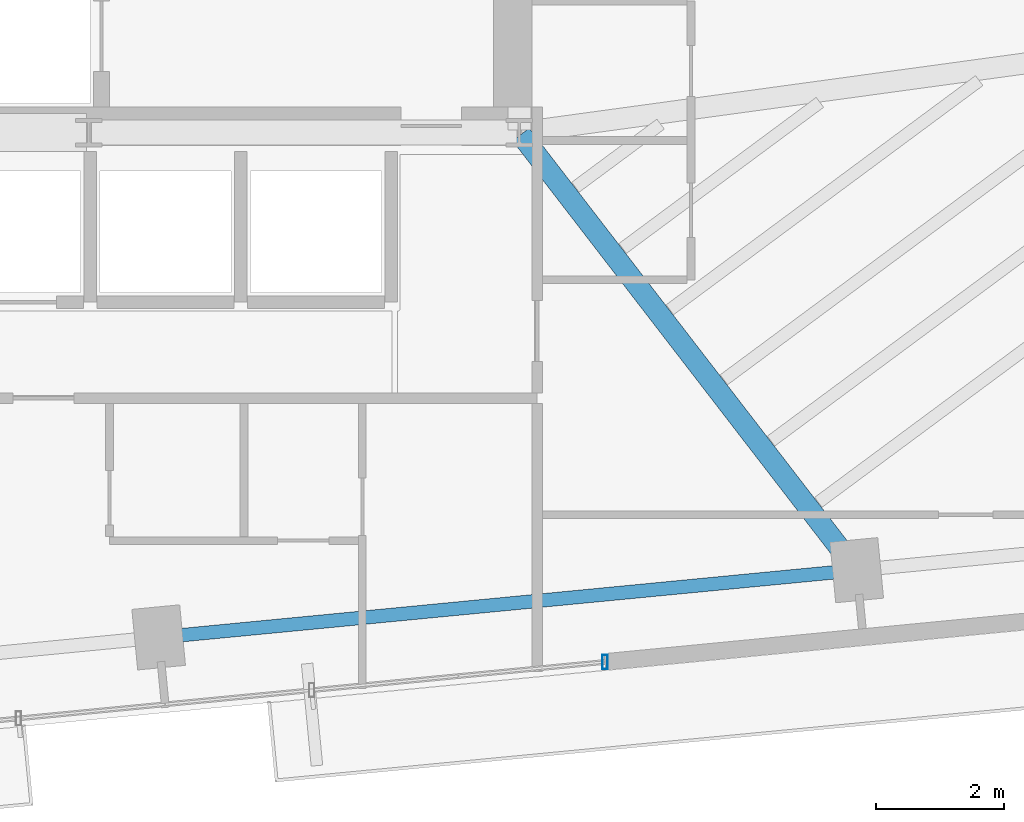
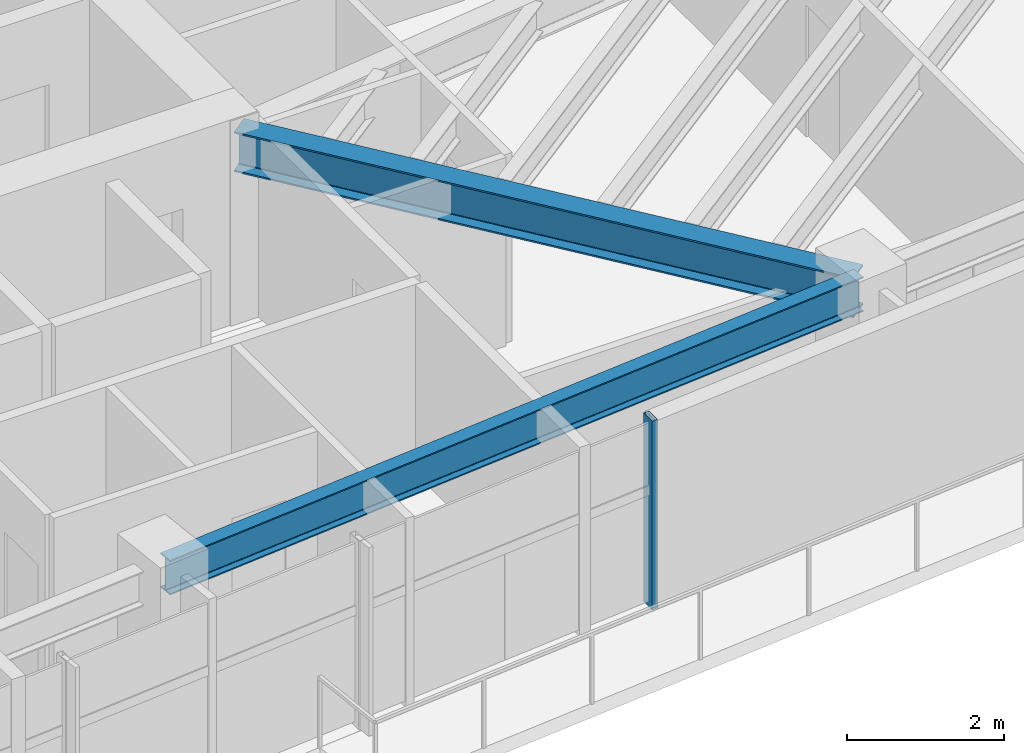
# One storey, part 8 of 18: 2 beams, 1 member, 1 element without a shape of its own.
"""IFC4 building model written with IfcOpenShell, lengths in metres."""

from ifc_helpers import new_model, si_unit, direction, frame, origin, origin_2d, place, context, subcontext, project, spatial, hollow_rectangle, i_section, extrude, source, transform, mapped, material, material_profile, profile_set, type_object, type_shapes, element, aggregate, save


model = new_model("IFC4")

# Units and contexts
model_context = context("Model", 3, precision=1e-05, world=origin(), true_north=direction((0.0, 1.0)))
body_context = subcontext(model_context, "Body", "Model", "MODEL_VIEW")
ifc_project = project(units=[si_unit("LENGTHUNIT", "METRE"), si_unit("AREAUNIT", "SQUARE_METRE"), si_unit("VOLUMEUNIT", "CUBIC_METRE"), si_unit("PLANEANGLEUNIT", "RADIAN"), si_unit("MASSUNIT", "GRAM", prefix="KILO")], contexts=[model_context])

# Site, building, storey
site_placement = place(None, origin())
site = spatial("IfcSite", under=ifc_project, at=site_placement, CompositionType="ELEMENT")
building_placement = place(site_placement, origin())
building = spatial("IfcBuilding", under=site, at=building_placement, Name="Astriad Promenade Condominiums", CompositionType="ELEMENT")
storey_placement = place(building_placement, frame((0.0, 0.0, 179.39990234375)))
storey = spatial("IfcBuildingStorey", under=building, at=storey_placement, Name="L51", CompositionType="ELEMENT", Elevation=179.39990234375)

# Beams
ifc_material_1 = material(Name="Steel ASTM A992 Grade 50", Category="steel")
ifc_material_profile_1 = material_profile(ifc_material_1, i_section(OverallWidth=0.210693359375, OverallDepth=0.53955078125, WebThickness=0.01171875, FlangeThickness=0.018798828125, FilletRadius=0.0166015625, at=origin_2d()), Name="W21X73")
ifc_profile_set_1 = profile_set([ifc_material_profile_1], Name="Steel ASTM A992 Grade 50")
beam_type_1 = type_object("IfcBeamType", Name="STEEL SPANDREL BEAM W21X73", PredefinedType="SPANDREL", material=ifc_profile_set_1)
shared_shape_1 = source(origin(), body_context, "Body", "SweptSolid", [
    extrude(i_section(OverallWidth=0.210693359375, OverallDepth=0.53955078125, WebThickness=0.01171875, FlangeThickness=0.018798828125, FilletRadius=0.0166015625, at=origin_2d()), origin(), (0.0, 0.0, 1.0), 10.8701171875),
])
type_shapes(beam_type_1, [shared_shape_1])
beam_1_placement = place(storey_placement, frame((40.008544921875, 9.520751953125, 2.67041015625), z_axis=(0.995397128983, 0.095836087217, 0.0), x_axis=(-0.095836087217, 0.995397128983, 0.0)))
element("IfcBeam", 1, at=beam_1_placement, inside=storey, type_object=beam_type_1, Name="Perimeter Spandrel Beam SP-S3-L51", PredefinedType="SPANDREL", context=body_context, shape_type="MappedRepresentation", body=[
    mapped(shared_shape_1, transform((0.0, 0.0, 0.0), scale=1.0)),
])
ifc_material_profile_2 = material_profile(ifc_material_1, i_section(OverallWidth=0.326416015625, OverallDepth=0.621826171875, WebThickness=0.015380859375, FlangeThickness=0.0244140625, FilletRadius=0.017822265625, at=origin_2d()), Name="W24X131")
ifc_profile_set_2 = profile_set([ifc_material_profile_2], Name="Steel ASTM A992 Grade 50")
beam_type_2 = type_object("IfcBeamType", Name="STEEL FLOOR GIRDER W24X131", PredefinedType="BEAM", material=ifc_profile_set_2)
shared_shape_2 = source(origin(), body_context, "Body", "SweptSolid", [
    extrude(i_section(OverallWidth=0.326416015625, OverallDepth=0.621826171875, WebThickness=0.015380859375, FlangeThickness=0.0244140625, FilletRadius=0.017822265625, at=origin_2d()), origin(), (0.0, 0.0, 1.0), 8.548583984375),
])
type_shapes(beam_type_2, [shared_shape_2])
beam_2_placement = place(storey_placement, frame((50.843994140625, 10.59814453125, 2.629150390625), z_axis=(-0.610561975536, 0.791968480452, 0.0), x_axis=(-0.791968480452, -0.610561975536, 0.0)))
element("IfcBeam", 2, at=beam_2_placement, inside=storey, type_object=beam_type_2, Name="Primary Floor Girder PG-E2-L51", PredefinedType="BEAM", context=body_context, shape_type="MappedRepresentation", body=[
    mapped(shared_shape_2, transform((0.0, 0.0, 0.0), scale=1.0)),
])

# Curtain wall, member
ifc_material_2 = material(Name="Anodised aluminium Black Dark Glass Unitised", Category="aluminium")
curtain_wall_type = type_object("IfcCurtainWallType", Name="CW-B34-DARK", PredefinedType="USERDEFINED", material=ifc_material_2)
curtain_wall_placement = place(storey_placement, origin())
curtain_wall = element("IfcCurtainWall", 3, at=curtain_wall_placement, inside=storey, type_object=curtain_wall_type, Name="CW-L51-S", ObjectType="UNITISED_CURTAIN_WALL", PredefinedType="USERDEFINED")
ifc_material_3 = material(Name="Anodised aluminium 6063-T6 Black", Category="aluminium")
ifc_material_profile_3 = material_profile(ifc_material_3, hollow_rectangle(XDim=0.0849609375, YDim=0.219970703125, WallThickness=0.0048828125, at=origin_2d()), Name="ALU-MUL-85X220")
ifc_profile_set_3 = profile_set([ifc_material_profile_3], Name="Anodised aluminium 6063-T6 Black")
member_type = type_object("IfcMemberType", Name="MUL-ALU-MUL-85X220", PredefinedType="MULLION", material=ifc_profile_set_3)
shared_shape_3 = source(origin(), body_context, "Body", "SweptSolid", [
    extrude(hollow_rectangle(XDim=0.0849609375, YDim=0.219970703125, WallThickness=0.0048828125, at=origin_2d()), origin(), (0.0, 0.0, 1.0), 2.940185546875),
])
type_shapes(member_type, [shared_shape_3])
member_placement = place(storey_placement, frame((46.9375, 9.133056640625, 0.0), z_axis=(0.0, 0.0, 1.0), x_axis=(1.0, 0.0, 0.0)))
member = element("IfcMember", 4, at=member_placement, type_object=member_type, Name="CW-L51-S-MUL-00", PredefinedType="MULLION", context=body_context, shape_type="MappedRepresentation", body=[
    mapped(shared_shape_3, transform((0.0, 0.0, 0.0), scale=1.0)),
])
aggregate(curtain_wall, [member])

save(model, "model.ifc")
